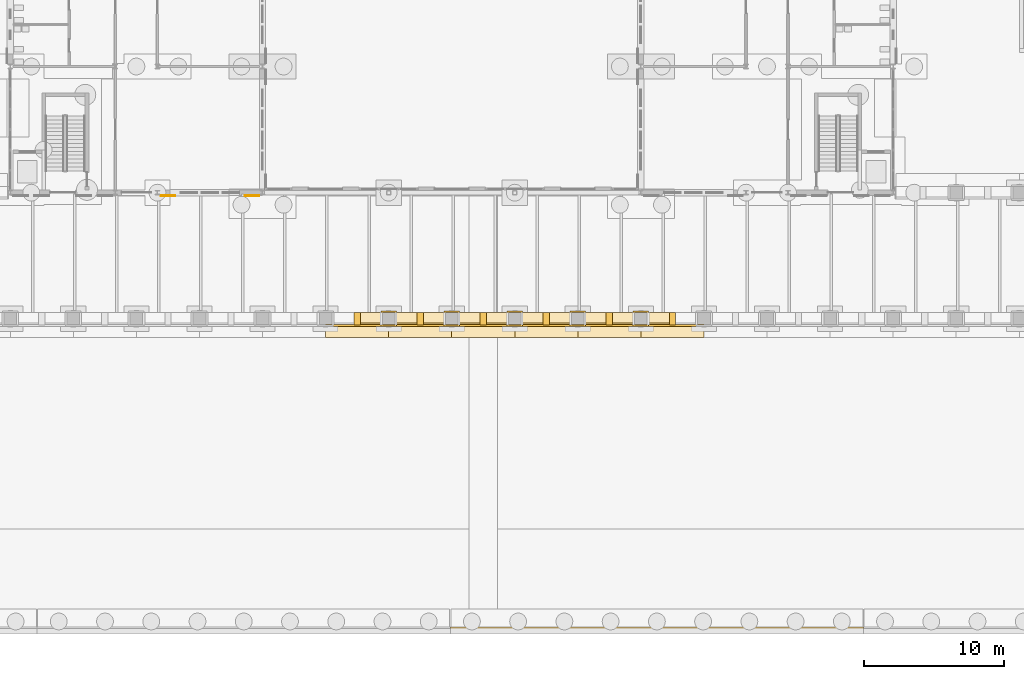
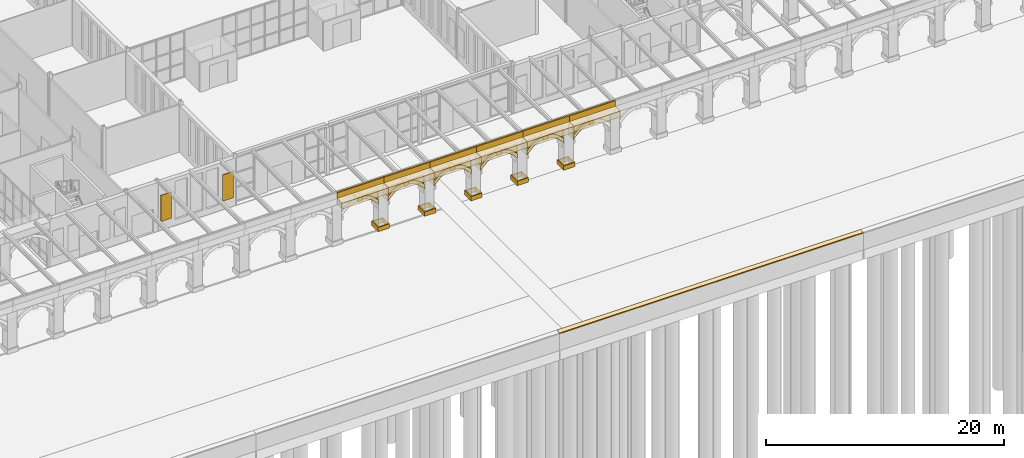
# One storey, part 132 of 168: 46 coverings.
"""IFC4 building model written with IfcOpenShell, lengths in metres."""

from ifc_helpers import new_model, si_unit, direction, frame, origin, origin_2d, place, context, subcontext, project, spatial, polyline, rectangle, outline, extrude, material, layer, layer_set, material_profile, profile_set, type_object, element, save


model = new_model("IFC4")

# Units and contexts
model_context = context("Model", 3, precision=1e-05, world=origin(), true_north=direction((0.0, 1.0)))
body_context = subcontext(model_context, "Body", "Model", "MODEL_VIEW")
ifc_project = project(units=[si_unit("LENGTHUNIT", "METRE"), si_unit("AREAUNIT", "SQUARE_METRE"), si_unit("VOLUMEUNIT", "CUBIC_METRE"), si_unit("PLANEANGLEUNIT", "RADIAN"), si_unit("MASSUNIT", "GRAM", prefix="KILO")], contexts=[model_context])

# Site, building, storey
site_placement = place(None, origin())
site = spatial("IfcSite", under=ifc_project, at=site_placement, CompositionType="ELEMENT")
building_placement = place(site_placement, origin())
building = spatial("IfcBuilding", under=site, at=building_placement, Name="Golden Quay Civic Hall", CompositionType="ELEMENT")
storey_placement = place(building_placement, origin())
storey = spatial("IfcBuildingStorey", under=building, at=storey_placement, Name="L00", CompositionType="ELEMENT", Elevation=0.0)

# Coverings
ifc_material_1 = material(Name="Brick, dark clay facing", Category="masonry")
ifc_layer_1 = layer(ifc_material_1, 0.75)
ifc_layer_set_1 = layer_set([ifc_layer_1], Name="Brick arch spandrel infill 750")
covering_type_1 = type_object("IfcCoveringType", Name="Brick arch spandrel infill 750", PredefinedType="CLADDING", material=ifc_layer_set_1)
covering_1_placement = place(storey_placement, frame((78.97509765625, -9.300048828125, 4.091064453125), z_axis=(0.0, -1.0, 0.0), x_axis=(0.97842552974, 0.0, -0.206599813053)))
element("IfcCovering", 1, at=covering_1_placement, inside=storey, type_object=covering_type_1, Name="Arch spandrel outer bay 14 right", PredefinedType="CLADDING", context=body_context, shape_type="SweptSolid", body=[
    extrude(outline(polyline([(0.0, 0.0), (0.06263051710363293, 1.734723475976807e-18), (0.31267483867747137, -0.0001008788149670925), (0.5881025541456739, -0.03651242089648961), (0.8673750848258303, -0.11003975339043703), (1.1505561937424948, -0.22216655622637274), (1.4375212099073598, -0.3746658221616902), (1.7294911476562997, -0.5697749671774053), (1.7300697733119603, -0.5701518352031314), (1.539106176579233, 0.3342229342292182), (-0.0018662580768914177, 0.008838316552825392), (0.0, 0.0)])), origin(), (0.0, 0.0, -1.0), 0.75),
])
covering_2_placement = place(storey_placement, frame((81.449951171875, -9.300048828125, 3.17578125), z_axis=(0.0, -1.0, 0.0), x_axis=(0.707106781187, 0.0, 0.707106781187)))
element("IfcCovering", 2, at=covering_2_placement, inside=storey, type_object=covering_type_1, Name="Arch spandrel outer bay 15 left", PredefinedType="CLADDING", context=body_context, shape_type="SweptSolid", body=[
    extrude(outline(polyline([(0.0, 0.0), (0.0006905339660024879, 0.0), (0.35182705567826755, 0.004143203796014933), (0.6755148522419337, -0.02468658928458889), (0.9739981590465092, -0.08528094480130727), (1.2481401435494968, -0.17608616133063437), (1.4988039732084, -0.29589380443206603), (1.7083810318901549, -0.4322742627175573), (1.760861613306344, -0.46645569403468046), (1.767249052491867, -0.4600682548491575), (0.6535903988213547, 0.6535903988213547), (0.0, 0.0)])), origin(), (0.0, 0.0, -1.0), 0.75),
])
covering_3_placement = place(storey_placement, frame((83.47509765625, -9.300048828125, 4.091064453125), z_axis=(0.0, -1.0, 0.0), x_axis=(0.97842552974, 0.0, -0.206599813053)))
element("IfcCovering", 3, at=covering_3_placement, inside=storey, type_object=covering_type_1, Name="Arch spandrel outer bay 15 right", PredefinedType="CLADDING", context=body_context, shape_type="SweptSolid", body=[
    extrude(outline(polyline([(0.0, 0.0), (0.06263051710363293, 1.734723475976807e-18), (0.31267483867747137, -0.0001008788149670925), (0.5881025541456739, -0.03651242089648961), (0.8673750848258303, -0.11003975339043703), (1.1505561937424948, -0.22216655622637274), (1.4375212099073598, -0.3746658221616902), (1.7294911476562997, -0.5697749671774053), (1.7300697733119603, -0.5701518352031314), (1.539106176579233, 0.3342229342292182), (-0.0018662580768914177, 0.008838316552825392), (0.0, 0.0)])), origin(), (0.0, 0.0, -1.0), 0.75),
])
covering_4_placement = place(storey_placement, frame((85.949951171875, -9.300048828125, 3.17578125), z_axis=(0.0, -1.0, 0.0), x_axis=(0.707106781187, 0.0, 0.707106781187)))
element("IfcCovering", 4, at=covering_4_placement, inside=storey, type_object=covering_type_1, Name="Arch spandrel outer bay 16 left", PredefinedType="CLADDING", context=body_context, shape_type="SweptSolid", body=[
    extrude(outline(polyline([(0.0, 0.0), (0.0006905339660024879, 0.0), (0.35182705567826755, 0.004143203796014933), (0.6755148522419337, -0.02468658928458889), (0.9739981590465092, -0.08528094480130727), (1.2481401435494968, -0.17608616133063437), (1.4988039732084, -0.29589380443206603), (1.7083810318901549, -0.4322742627175573), (1.760861613306344, -0.46645569403468046), (1.767249052491867, -0.4600682548491575), (0.6535903988213547, 0.6535903988213547), (0.0, 0.0)])), origin(), (0.0, 0.0, -1.0), 0.75),
])
covering_5_placement = place(storey_placement, frame((87.97509765625, -9.300048828125, 4.091064453125), z_axis=(0.0, -1.0, 0.0), x_axis=(0.97842552974, 0.0, -0.206599813053)))
element("IfcCovering", 5, at=covering_5_placement, inside=storey, type_object=covering_type_1, Name="Arch spandrel outer bay 16 right", PredefinedType="CLADDING", context=body_context, shape_type="SweptSolid", body=[
    extrude(outline(polyline([(0.0, 0.0), (0.06263051710363293, 1.734723475976807e-18), (0.31267483867747137, -0.0001008788149670925), (0.5881025541456739, -0.03651242089648961), (0.8673750848258303, -0.11003975339043703), (1.1505561937424948, -0.22216655622637274), (1.4375212099073598, -0.3746658221616902), (1.7294911476562997, -0.5697749671774053), (1.7300697733119603, -0.5701518352031314), (1.539106176579233, 0.3342229342292182), (-0.0018662580768914177, 0.008838316552825392), (0.0, 0.0)])), origin(), (0.0, 0.0, -1.0), 0.75),
])
covering_6_placement = place(storey_placement, frame((90.449951171875, -9.300048828125, 3.17578125), z_axis=(0.0, -1.0, 0.0), x_axis=(0.707106781187, 0.0, 0.707106781187)))
element("IfcCovering", 6, at=covering_6_placement, inside=storey, type_object=covering_type_1, Name="Arch spandrel outer bay 17 left", PredefinedType="CLADDING", context=body_context, shape_type="SweptSolid", body=[
    extrude(outline(polyline([(0.0, 0.0), (0.0006905339660024879, 0.0), (0.35182705567826755, 0.004143203796014933), (0.6755148522419337, -0.02468658928458889), (0.9739981590465092, -0.08528094480130727), (1.2481401435494968, -0.17608616133063437), (1.4988039732084, -0.29589380443206603), (1.7083810318901549, -0.4322742627175573), (1.760861613306344, -0.46645569403468046), (1.767249052491867, -0.4600682548491575), (0.6535903988213547, 0.6535903988213547), (0.0, 0.0)])), origin(), (0.0, 0.0, -1.0), 0.75),
])
covering_7_placement = place(storey_placement, frame((92.47509765625, -9.300048828125, 4.091064453125), z_axis=(0.0, -1.0, 0.0), x_axis=(0.97842552974, 0.0, -0.206599813053)))
element("IfcCovering", 7, at=covering_7_placement, inside=storey, type_object=covering_type_1, Name="Arch spandrel outer bay 17 right", PredefinedType="CLADDING", context=body_context, shape_type="SweptSolid", body=[
    extrude(outline(polyline([(0.0, 0.0), (0.06263051710363293, 1.734723475976807e-18), (0.31267483867747137, -0.0001008788149670925), (0.5881025541456739, -0.03651242089648961), (0.8673750848258303, -0.11003975339043703), (1.1505561937424948, -0.22216655622637274), (1.4375212099073598, -0.3746658221616902), (1.7294911476562997, -0.5697749671774053), (1.7300697733119603, -0.5701518352031314), (1.539106176579233, 0.3342229342292182), (-0.0018662580768914177, 0.008838316552825392), (0.0, 0.0)])), origin(), (0.0, 0.0, -1.0), 0.75),
])
covering_8_placement = place(storey_placement, frame((94.949951171875, -9.300048828125, 3.17578125), z_axis=(0.0, -1.0, 0.0), x_axis=(0.707106781187, 0.0, 0.707106781187)))
element("IfcCovering", 8, at=covering_8_placement, inside=storey, type_object=covering_type_1, Name="Arch spandrel outer bay 18 left", PredefinedType="CLADDING", context=body_context, shape_type="SweptSolid", body=[
    extrude(outline(polyline([(0.0, 0.0), (0.0006905339660024879, 0.0), (0.35182705567826755, 0.004143203796014933), (0.6755148522419337, -0.02468658928458889), (0.9739981590465092, -0.08528094480130727), (1.2481401435494968, -0.17608616133063437), (1.4988039732084, -0.29589380443206603), (1.7083810318901549, -0.4322742627175573), (1.760861613306344, -0.46645569403468046), (1.767249052491867, -0.4600682548491575), (0.6535903988213547, 0.6535903988213547), (0.0, 0.0)])), origin(), (0.0, 0.0, -1.0), 0.75),
])
covering_9_placement = place(storey_placement, frame((96.97509765625, -9.300048828125, 4.091064453125), z_axis=(0.0, -1.0, 0.0), x_axis=(0.97842552974, 0.0, -0.206599813053)))
element("IfcCovering", 9, at=covering_9_placement, inside=storey, type_object=covering_type_1, Name="Arch spandrel outer bay 18 right", PredefinedType="CLADDING", context=body_context, shape_type="SweptSolid", body=[
    extrude(outline(polyline([(0.0, 0.0), (0.06263051710363293, 1.734723475976807e-18), (0.31267483867747137, -0.0001008788149670925), (0.5881025541456739, -0.03651242089648961), (0.8673750848258303, -0.11003975339043703), (1.1505561937424948, -0.22216655622637274), (1.4375212099073598, -0.3746658221616902), (1.7294911476562997, -0.5697749671774053), (1.7300697733119603, -0.5701518352031314), (1.539106176579233, 0.3342229342292182), (-0.0018662580768914177, 0.008838316552825392), (0.0, 0.0)])), origin(), (0.0, 0.0, -1.0), 0.75),
])
covering_10_placement = place(storey_placement, frame((99.449951171875, -9.300048828125, 3.17578125), z_axis=(0.0, -1.0, 0.0), x_axis=(0.707106781187, 0.0, 0.707106781187)))
element("IfcCovering", 10, at=covering_10_placement, inside=storey, type_object=covering_type_1, Name="Arch spandrel outer bay 19 left", PredefinedType="CLADDING", context=body_context, shape_type="SweptSolid", body=[
    extrude(outline(polyline([(0.0, 0.0), (0.0006905339660024879, 0.0), (0.35182705567826755, 0.004143203796014933), (0.6755148522419337, -0.02468658928458889), (0.9739981590465092, -0.08528094480130727), (1.2481401435494968, -0.17608616133063437), (1.4988039732084, -0.29589380443206603), (1.7083810318901549, -0.4322742627175573), (1.760861613306344, -0.46645569403468046), (1.767249052491867, -0.4600682548491575), (0.6535903988213547, 0.6535903988213547), (0.0, 0.0)])), origin(), (0.0, 0.0, -1.0), 0.75),
])
ifc_material_2 = material(Name="Granite", Category="masonry")
ifc_layer_2 = layer(ifc_material_2, 0.10009765625)
ifc_layer_set_2 = layer_set([ifc_layer_2], Name="Granite wall coping 500 x 100")
covering_type_2 = type_object("IfcCoveringType", Name="Granite wall coping 500 x 100", PredefinedType="CLADDING", material=ifc_layer_set_2)
covering_11_placement = place(storey_placement, frame((0.0, 0.0, 1.10009765625)))
element("IfcCovering", 11, at=covering_11_placement, inside=storey, type_object=covering_type_2, Name="Quay wall coping run 4", PredefinedType="CLADDING", context=body_context, shape_type="SweptSolid", body=[
    extrude(outline(polyline([(85.39990234375, -31.5), (114.8798828125, -31.5), (114.8798828125, -31.0), (85.39990234375, -31.0), (85.39990234375, -31.5)])), origin(), (0.0, 0.0, 1.0), 0.099853515625),
])
ifc_material_3 = material(Name="Stone, buff limestone", Category="masonry")
ifc_layer_3 = layer(ifc_material_3, 0.89990234375)
ifc_layer_set_3 = layer_set([ifc_layer_3], Name="Stone arch keystone 450 x 420")
covering_type_3 = type_object("IfcCoveringType", Name="Stone arch keystone 450 x 420", PredefinedType="CLADDING", material=ifc_layer_set_3)
for number, where, z_axis, x_axis, name in (
    (12, (78.52490234375, -9.449951171875, 3.679931640625), (0.0, -1.0, 0.0), (1.0, 0.0, 0.0), "Arch keystone outer bay 14 crown"),
    (13, (83.02490234375, -9.449951171875, 3.679931640625), (0.0, -1.0, 0.0), (1.0, 0.0, 0.0), "Arch keystone outer bay 15 crown"),
    (14, (87.52490234375, -9.449951171875, 3.679931640625), (0.0, -1.0, 0.0), (1.0, 0.0, 0.0), "Arch keystone outer bay 16 crown"),
    (15, (92.02490234375, -9.449951171875, 3.679931640625), (0.0, -1.0, 0.0), (1.0, 0.0, 0.0), "Arch keystone outer bay 17 crown"),
    (16, (96.52490234375, -9.449951171875, 3.679931640625), (0.0, -1.0, 0.0), (1.0, 0.0, 0.0), "Arch keystone outer bay 18 crown"),
    (17, (101.02490234375, -9.449951171875, 3.679931640625), (0.0, -1.0, 0.0), (1.0, 0.0, 0.0), "Arch keystone outer bay 19 crown"),
):
    element("IfcCovering", number, at=place(storey_placement, frame(where, z_axis=z_axis, x_axis=x_axis)), inside=storey, type_object=covering_type_3, Name=name, PredefinedType="CLADDING", context=body_context, shape_type="SweptSolid", body=[
        extrude(outline(polyline([(0.0, 0.0), (0.4501953125, 0.0), (0.4501953125, 0.420166015625), (0.0, 0.420166015625), (0.0, 0.0)])), origin(), (0.0, 0.0, -1.0), 0.89990234375),
    ])
ifc_material_4 = material(Name="Stone, buff limestone", Category="masonry")
ifc_layer_4 = layer(ifc_material_4, 0.89990234375)
ifc_layer_set_4 = layer_set([ifc_layer_4], Name="Stone arch ring 900 x 300")
covering_type_4 = type_object("IfcCoveringType", Name="Stone arch ring 900 x 300", PredefinedType="CLADDING", material=ifc_layer_set_4)
covering_12_placement = place(storey_placement, frame((78.97509765625, -9.449951171875, 3.784423828125), z_axis=(0.0, -1.0, 0.0), x_axis=(0.978953882547, 0.0, -0.20408159115)))
element("IfcCovering", 18, at=covering_12_placement, inside=storey, type_object=covering_type_4, Name="Arch ring outer bay 14 right", PredefinedType="CLADDING", context=body_context, shape_type="SweptSolid", body=[
    extrude(outline(polyline([(0.0, 0.0), (0.22968754671057404, 0.0), (0.4662407685933837, -0.031737496286033756), (0.7094806084662527, -0.09674615254891705), (0.9602836680123576, -0.19683833887607075), (1.2190088401055397, -0.33493190882748347), (1.486164491441282, -0.5146617232013373), (1.7631254697749046, -0.7402301762123651), (1.666017310314196, -0.27441447379927847), (1.665439656274305, -0.27403611818824464), (1.3739727106559259, -0.07817636573824266), (1.0874010326963535, 0.07506077076837225), (0.8045093690852512, 0.18791584163726896), (0.5254269523975812, 0.26216151297199447), (0.25009383740278873, 0.29928162385615015), (5.060311670204709e-05, 0.3000258789264141), (-0.06257970666118522, 0.30018703039037287), (0.0, 0.0)])), origin(), (0.0, 0.0, -1.0), 0.89990234375),
])
covering_13_placement = place(storey_placement, frame((81.449951171875, -9.449951171875, 2.699951171875), z_axis=(0.0, -1.0, 0.0), x_axis=(0.630180832165, 0.0, 0.776448400585)))
element("IfcCovering", 19, at=covering_13_placement, inside=storey, type_object=covering_type_4, Name="Arch ring outer bay 15 left", PredefinedType="CLADDING", context=body_context, shape_type="SweptSolid", body=[
    extrude(outline(polyline([(0.0, 0.0), (0.3571953394339093, 0.0), (0.6778408073481526, -0.02935016390994566), (0.9656562359875701, -0.08566026756533418), (1.2233312115769217, -0.1664329572349489), (1.452986632547569, -0.2696324374142566), (1.6564467051663616, -0.39440701136103273), (1.8345410995356382, -0.5394544374263122), (2.0726317223713804, -0.3462153931881483), (2.023967866388838, -0.30678937647863513), (1.8296201479431229, -0.14946443483618055), (1.5926919309667726, -0.004373956702034887), (1.3294118430005957, 0.11429790304869314), (1.038796361200025, 0.20543846536483718), (0.7198262528649223, 0.2675916358552039), (0.37014433379061235, 0.2997875748909126), (0.36945750311055836, 0.2998589946020553), (0.0, 0.0)])), origin(), (0.0, 0.0, -1.0), 0.89990234375),
])
covering_14_placement = place(storey_placement, frame((83.47509765625, -9.449951171875, 3.784423828125), z_axis=(0.0, -1.0, 0.0), x_axis=(0.978953882547, 0.0, -0.20408159115)))
element("IfcCovering", 20, at=covering_14_placement, inside=storey, type_object=covering_type_4, Name="Arch ring outer bay 15 right", PredefinedType="CLADDING", context=body_context, shape_type="SweptSolid", body=[
    extrude(outline(polyline([(0.0, 0.0), (0.22968754671057404, 0.0), (0.4662407685933837, -0.031737496286033756), (0.7094806084662527, -0.09674615254891705), (0.9602836680123576, -0.19683833887607075), (1.2190088401055397, -0.33493190882748347), (1.486164491441282, -0.5146617232013373), (1.7631254697749046, -0.7402301762123651), (1.666017310314196, -0.27441447379927847), (1.665439656274305, -0.27403611818824464), (1.3739727106559259, -0.07817636573824266), (1.0874010326963535, 0.07506077076837225), (0.8045093690852512, 0.18791584163726896), (0.5254269523975812, 0.26216151297199447), (0.25009383740278873, 0.29928162385615015), (5.060311670204709e-05, 0.3000258789264141), (-0.06257970666118522, 0.30018703039037287), (0.0, 0.0)])), origin(), (0.0, 0.0, -1.0), 0.89990234375),
])
covering_15_placement = place(storey_placement, frame((85.949951171875, -9.449951171875, 2.699951171875), z_axis=(0.0, -1.0, 0.0), x_axis=(0.630180832165, 0.0, 0.776448400585)))
element("IfcCovering", 21, at=covering_15_placement, inside=storey, type_object=covering_type_4, Name="Arch ring outer bay 16 left", PredefinedType="CLADDING", context=body_context, shape_type="SweptSolid", body=[
    extrude(outline(polyline([(0.0, 0.0), (0.3571953394339093, 0.0), (0.6778408073481526, -0.02935016390994566), (0.9656562359875701, -0.08566026756533418), (1.2233312115769217, -0.1664329572349489), (1.452986632547569, -0.2696324374142566), (1.6564467051663616, -0.39440701136103273), (1.8345410995356382, -0.5394544374263122), (2.0726317223713804, -0.3462153931881483), (2.023967866388838, -0.30678937647863513), (1.8296201479431229, -0.14946443483618055), (1.5926919309667726, -0.004373956702034887), (1.3294118430005957, 0.11429790304869314), (1.038796361200025, 0.20543846536483718), (0.7198262528649223, 0.2675916358552039), (0.37014433379061235, 0.2997875748909126), (0.36945750311055836, 0.2998589946020553), (0.0, 0.0)])), origin(), (0.0, 0.0, -1.0), 0.89990234375),
])
covering_16_placement = place(storey_placement, frame((87.97509765625, -9.449951171875, 3.784423828125), z_axis=(0.0, -1.0, 0.0), x_axis=(0.978953882547, 0.0, -0.20408159115)))
element("IfcCovering", 22, at=covering_16_placement, inside=storey, type_object=covering_type_4, Name="Arch ring outer bay 16 right", PredefinedType="CLADDING", context=body_context, shape_type="SweptSolid", body=[
    extrude(outline(polyline([(0.0, 0.0), (0.22968754671057404, 0.0), (0.4662407685933837, -0.031737496286033756), (0.7094806084662527, -0.09674615254891705), (0.9602836680123576, -0.19683833887607075), (1.2190088401055397, -0.33493190882748347), (1.486164491441282, -0.5146617232013373), (1.7631254697749046, -0.7402301762123651), (1.666017310314196, -0.27441447379927847), (1.665439656274305, -0.27403611818824464), (1.3739727106559259, -0.07817636573824266), (1.0874010326963535, 0.07506077076837225), (0.8045093690852512, 0.18791584163726896), (0.5254269523975812, 0.26216151297199447), (0.25009383740278873, 0.29928162385615015), (5.060311670204709e-05, 0.3000258789264141), (-0.06257970666118522, 0.30018703039037287), (0.0, 0.0)])), origin(), (0.0, 0.0, -1.0), 0.89990234375),
])
covering_17_placement = place(storey_placement, frame((90.449951171875, -9.449951171875, 2.699951171875), z_axis=(0.0, -1.0, 0.0), x_axis=(0.630180832165, 0.0, 0.776448400585)))
element("IfcCovering", 23, at=covering_17_placement, inside=storey, type_object=covering_type_4, Name="Arch ring outer bay 17 left", PredefinedType="CLADDING", context=body_context, shape_type="SweptSolid", body=[
    extrude(outline(polyline([(0.0, 0.0), (0.3571953394339093, 0.0), (0.6778408073481526, -0.02935016390994566), (0.9656562359875701, -0.08566026756533418), (1.2233312115769217, -0.1664329572349489), (1.452986632547569, -0.2696324374142566), (1.6564467051663616, -0.39440701136103273), (1.8345410995356382, -0.5394544374263122), (2.0726317223713804, -0.3462153931881483), (2.023967866388838, -0.30678937647863513), (1.8296201479431229, -0.14946443483618055), (1.5926919309667726, -0.004373956702034887), (1.3294118430005957, 0.11429790304869314), (1.038796361200025, 0.20543846536483718), (0.7198262528649223, 0.2675916358552039), (0.37014433379061235, 0.2997875748909126), (0.36945750311055836, 0.2998589946020553), (0.0, 0.0)])), origin(), (0.0, 0.0, -1.0), 0.89990234375),
])
covering_18_placement = place(storey_placement, frame((92.47509765625, -9.449951171875, 3.784423828125), z_axis=(0.0, -1.0, 0.0), x_axis=(0.978953882547, 0.0, -0.20408159115)))
element("IfcCovering", 24, at=covering_18_placement, inside=storey, type_object=covering_type_4, Name="Arch ring outer bay 17 right", PredefinedType="CLADDING", context=body_context, shape_type="SweptSolid", body=[
    extrude(outline(polyline([(0.0, 0.0), (0.22968754671057404, 0.0), (0.4662407685933837, -0.031737496286033756), (0.7094806084662527, -0.09674615254891705), (0.9602836680123576, -0.19683833887607075), (1.2190088401055397, -0.33493190882748347), (1.486164491441282, -0.5146617232013373), (1.7631254697749046, -0.7402301762123651), (1.666017310314196, -0.27441447379927847), (1.665439656274305, -0.27403611818824464), (1.3739727106559259, -0.07817636573824266), (1.0874010326963535, 0.07506077076837225), (0.8045093690852512, 0.18791584163726896), (0.5254269523975812, 0.26216151297199447), (0.25009383740278873, 0.29928162385615015), (5.060311670204709e-05, 0.3000258789264141), (-0.06257970666118522, 0.30018703039037287), (0.0, 0.0)])), origin(), (0.0, 0.0, -1.0), 0.89990234375),
])
covering_19_placement = place(storey_placement, frame((94.949951171875, -9.449951171875, 2.699951171875), z_axis=(0.0, -1.0, 0.0), x_axis=(0.630180832165, 0.0, 0.776448400585)))
element("IfcCovering", 25, at=covering_19_placement, inside=storey, type_object=covering_type_4, Name="Arch ring outer bay 18 left", PredefinedType="CLADDING", context=body_context, shape_type="SweptSolid", body=[
    extrude(outline(polyline([(0.0, 0.0), (0.3571953394339093, 0.0), (0.6778408073481526, -0.02935016390994566), (0.9656562359875701, -0.08566026756533418), (1.2233312115769217, -0.1664329572349489), (1.452986632547569, -0.2696324374142566), (1.6564467051663616, -0.39440701136103273), (1.8345410995356382, -0.5394544374263122), (2.0726317223713804, -0.3462153931881483), (2.023967866388838, -0.30678937647863513), (1.8296201479431229, -0.14946443483618055), (1.5926919309667726, -0.004373956702034887), (1.3294118430005957, 0.11429790304869314), (1.038796361200025, 0.20543846536483718), (0.7198262528649223, 0.2675916358552039), (0.37014433379061235, 0.2997875748909126), (0.36945750311055836, 0.2998589946020553), (0.0, 0.0)])), origin(), (0.0, 0.0, -1.0), 0.89990234375),
])
covering_20_placement = place(storey_placement, frame((96.97509765625, -9.449951171875, 3.784423828125), z_axis=(0.0, -1.0, 0.0), x_axis=(0.978953882547, 0.0, -0.20408159115)))
element("IfcCovering", 26, at=covering_20_placement, inside=storey, type_object=covering_type_4, Name="Arch ring outer bay 18 right", PredefinedType="CLADDING", context=body_context, shape_type="SweptSolid", body=[
    extrude(outline(polyline([(0.0, 0.0), (0.22968754671057404, 0.0), (0.4662407685933837, -0.031737496286033756), (0.7094806084662527, -0.09674615254891705), (0.9602836680123576, -0.19683833887607075), (1.2190088401055397, -0.33493190882748347), (1.486164491441282, -0.5146617232013373), (1.7631254697749046, -0.7402301762123651), (1.666017310314196, -0.27441447379927847), (1.665439656274305, -0.27403611818824464), (1.3739727106559259, -0.07817636573824266), (1.0874010326963535, 0.07506077076837225), (0.8045093690852512, 0.18791584163726896), (0.5254269523975812, 0.26216151297199447), (0.25009383740278873, 0.29928162385615015), (5.060311670204709e-05, 0.3000258789264141), (-0.06257970666118522, 0.30018703039037287), (0.0, 0.0)])), origin(), (0.0, 0.0, -1.0), 0.89990234375),
])
covering_21_placement = place(storey_placement, frame((99.449951171875, -9.449951171875, 2.699951171875), z_axis=(0.0, -1.0, 0.0), x_axis=(0.630180832165, 0.0, 0.776448400585)))
element("IfcCovering", 27, at=covering_21_placement, inside=storey, type_object=covering_type_4, Name="Arch ring outer bay 19 left", PredefinedType="CLADDING", context=body_context, shape_type="SweptSolid", body=[
    extrude(outline(polyline([(0.0, 0.0), (0.3571953394339093, 0.0), (0.6778408073481526, -0.02935016390994566), (0.9656562359875701, -0.08566026756533418), (1.2233312115769217, -0.1664329572349489), (1.452986632547569, -0.2696324374142566), (1.6564467051663616, -0.39440701136103273), (1.8345410995356382, -0.5394544374263122), (2.0726317223713804, -0.3462153931881483), (2.023967866388838, -0.30678937647863513), (1.8296201479431229, -0.14946443483618055), (1.5926919309667726, -0.004373956702034887), (1.3294118430005957, 0.11429790304869314), (1.038796361200025, 0.20543846536483718), (0.7198262528649223, 0.2675916358552039), (0.37014433379061235, 0.2997875748909126), (0.36945750311055836, 0.2998589946020553), (0.0, 0.0)])), origin(), (0.0, 0.0, -1.0), 0.89990234375),
])
ifc_material_5 = material(Name="Stone, buff limestone", Category="masonry")
ifc_material_profile_1 = material_profile(ifc_material_5, rectangle(XDim=0.89990234375, YDim=0.60009765625, at=origin_2d()), Name="RC 900x600")
ifc_profile_set_1 = profile_set([ifc_material_profile_1], Name="Stone, buff limestone")
covering_type_5 = type_object("IfcCoveringType", Name="Stone cornice 900 x 600", PredefinedType="MOLDING", material=ifc_profile_set_1)
for number, where, z_axis, x_axis, name in (
    (28, (76.5, -9.89990234375, 4.5), (1.0, 0.0, 0.0), (0.0, 1.0, 0.0), "Stone cornice outer bay 14"),
    (29, (81.0, -9.89990234375, 4.5), (1.0, 0.0, 0.0), (0.0, 1.0, 0.0), "Stone cornice outer bay 15"),
    (30, (85.5, -9.89990234375, 4.5), (1.0, 0.0, 0.0), (0.0, 1.0, 0.0), "Stone cornice outer bay 16"),
    (31, (90.0, -9.89990234375, 4.5), (1.0, 0.0, 0.0), (0.0, 1.0, 0.0), "Stone cornice outer bay 17"),
    (32, (94.5, -9.89990234375, 4.5), (1.0, 0.0, 0.0), (0.0, 1.0, 0.0), "Stone cornice outer bay 18"),
    (33, (99.0, -9.89990234375, 4.5), (1.0, 0.0, 0.0), (0.0, 1.0, 0.0), "Stone cornice outer bay 19"),
):
    element("IfcCovering", number, at=place(storey_placement, frame(where, z_axis=z_axis, x_axis=x_axis)), inside=storey, type_object=covering_type_5, Name=name, PredefinedType="MOLDING", context=body_context, shape_type="SweptSolid", body=[
        extrude(rectangle(XDim=0.89990234375, YDim=0.60009765625, at=origin_2d()), origin(), (0.0, 0.0, 1.0), 4.5),
    ])
ifc_material_6 = material(Name="Stone, buff limestone", Category="masonry")
ifc_layer_5 = layer(ifc_material_6, 0.449951171875)
ifc_layer_set_5 = layer_set([ifc_layer_5], Name="Stone pier plinth 450")
covering_type_6 = type_object("IfcCoveringType", Name="Stone pier plinth 450", PredefinedType="CLADDING", material=ifc_layer_set_5)
covering_22_placement = place(storey_placement, origin())
element("IfcCovering", 34, at=covering_22_placement, inside=storey, type_object=covering_type_6, Name="Pier plinth outer 81", PredefinedType="CLADDING", context=body_context, shape_type="SweptSolid", body=[
    extrude(outline(polyline([(80.449951171875, -9.550048828125), (81.550048828125, -9.550048828125), (81.550048828125, -8.449951171875), (80.449951171875, -8.449951171875), (80.449951171875, -9.550048828125)]), holes=[polyline([(80.550048828125, -9.449951171875), (81.449951171875, -9.449951171875), (81.449951171875, -8.550048828125), (80.550048828125, -8.550048828125), (80.550048828125, -9.449951171875)])]), origin(), (0.0, 0.0, 1.0), 0.449951171875),
])
covering_23_placement = place(storey_placement, origin())
element("IfcCovering", 35, at=covering_23_placement, inside=storey, type_object=covering_type_6, Name="Pier plinth outer 85.5", PredefinedType="CLADDING", context=body_context, shape_type="SweptSolid", body=[
    extrude(outline(polyline([(84.949951171875, -9.550048828125), (86.050048828125, -9.550048828125), (86.050048828125, -8.449951171875), (84.949951171875, -8.449951171875), (84.949951171875, -9.550048828125)]), holes=[polyline([(85.050048828125, -9.449951171875), (85.949951171875, -9.449951171875), (85.949951171875, -8.550048828125), (85.050048828125, -8.550048828125), (85.050048828125, -9.449951171875)])]), origin(), (0.0, 0.0, 1.0), 0.449951171875),
])
covering_24_placement = place(storey_placement, origin())
element("IfcCovering", 36, at=covering_24_placement, inside=storey, type_object=covering_type_6, Name="Pier plinth outer 90", PredefinedType="CLADDING", context=body_context, shape_type="SweptSolid", body=[
    extrude(outline(polyline([(89.449951171875, -9.550048828125), (90.550048828125, -9.550048828125), (90.550048828125, -8.449951171875), (89.449951171875, -8.449951171875), (89.449951171875, -9.550048828125)]), holes=[polyline([(89.550048828125, -9.449951171875), (90.449951171875, -9.449951171875), (90.449951171875, -8.550048828125), (89.550048828125, -8.550048828125), (89.550048828125, -9.449951171875)])]), origin(), (0.0, 0.0, 1.0), 0.449951171875),
])
covering_25_placement = place(storey_placement, origin())
element("IfcCovering", 37, at=covering_25_placement, inside=storey, type_object=covering_type_6, Name="Pier plinth outer 94.5", PredefinedType="CLADDING", context=body_context, shape_type="SweptSolid", body=[
    extrude(outline(polyline([(93.949951171875, -9.550048828125), (95.050048828125, -9.550048828125), (95.050048828125, -8.449951171875), (93.949951171875, -8.449951171875), (93.949951171875, -9.550048828125)]), holes=[polyline([(94.050048828125, -9.449951171875), (94.949951171875, -9.449951171875), (94.949951171875, -8.550048828125), (94.050048828125, -8.550048828125), (94.050048828125, -9.449951171875)])]), origin(), (0.0, 0.0, 1.0), 0.449951171875),
])
covering_26_placement = place(storey_placement, origin())
element("IfcCovering", 38, at=covering_26_placement, inside=storey, type_object=covering_type_6, Name="Pier plinth outer 99", PredefinedType="CLADDING", context=body_context, shape_type="SweptSolid", body=[
    extrude(outline(polyline([(98.449951171875, -9.550048828125), (99.550048828125, -9.550048828125), (99.550048828125, -8.449951171875), (98.449951171875, -8.449951171875), (98.449951171875, -9.550048828125)]), holes=[polyline([(98.550048828125, -9.449951171875), (99.449951171875, -9.449951171875), (99.449951171875, -8.550048828125), (98.550048828125, -8.550048828125), (98.550048828125, -9.449951171875)])]), origin(), (0.0, 0.0, 1.0), 0.449951171875),
])
ifc_material_7 = material(Name="Stone, buff limestone", Category="masonry")
ifc_material_profile_2 = material_profile(ifc_material_7, rectangle(XDim=0.14990234375, YDim=0.60009765625, at=origin_2d()), Name="RC 150x600")
ifc_profile_set_2 = profile_set([ifc_material_profile_2], Name="Stone, buff limestone")
covering_type_7 = type_object("IfcCoveringType", Name="Stone terrace fascia 150 x 600", PredefinedType="CLADDING", material=ifc_profile_set_2)
for number, where, z_axis, x_axis, name in (
    (39, (76.5, -9.47509765625, 5.10009765625), (1.0, 0.0, 0.0), (0.0, 1.0, 0.0), "Terrace fascia bay 14"),
    (40, (81.0, -9.47509765625, 5.10009765625), (1.0, 0.0, 0.0), (0.0, 1.0, 0.0), "Terrace fascia bay 15"),
    (41, (85.5, -9.47509765625, 5.10009765625), (1.0, 0.0, 0.0), (0.0, 1.0, 0.0), "Terrace fascia bay 16"),
    (42, (90.0, -9.47509765625, 5.10009765625), (1.0, 0.0, 0.0), (0.0, 1.0, 0.0), "Terrace fascia bay 17"),
    (43, (94.5, -9.47509765625, 5.10009765625), (1.0, 0.0, 0.0), (0.0, 1.0, 0.0), "Terrace fascia bay 18"),
    (44, (99.0, -9.47509765625, 5.10009765625), (1.0, 0.0, 0.0), (0.0, 1.0, 0.0), "Terrace fascia bay 19"),
):
    element("IfcCovering", number, at=place(storey_placement, frame(where, z_axis=z_axis, x_axis=x_axis)), inside=storey, type_object=covering_type_7, Name=name, PredefinedType="CLADDING", context=body_context, shape_type="SweptSolid", body=[
        extrude(rectangle(XDim=0.14990234375, YDim=0.60009765625, at=origin_2d()), origin(), (0.0, 0.0, 1.0), 4.5),
    ])
ifc_material_8 = material(Name="Terracotta cladding, golden glaze", Category="masonry")
ifc_layer_6 = layer(ifc_material_8, 0.050048828125)
ifc_layer_set_6 = layer_set([ifc_layer_6], Name="Terracotta solid panel 1050 x 2700 x 50")
covering_type_8 = type_object("IfcCoveringType", Name="Terracotta solid panel 1050 x 2700 x 50", PredefinedType="CLADDING", material=ifc_layer_set_6)
covering_27_placement = place(storey_placement, frame((0.0, 0.0, 0.89990234375)))
element("IfcCovering", 45, at=covering_27_placement, inside=storey, type_object=covering_type_8, Name="Terracotta solid panel 1050 x 2700 x 50 L00 46", PredefinedType="CLADDING", context=body_context, shape_type="SweptSolid", body=[
    extrude(outline(polyline([(64.72509765625, -0.199951171875), (65.77490234375, -0.199951171875), (65.77490234375, -0.25), (64.72509765625, -0.25), (64.72509765625, -0.199951171875)])), origin(), (0.0, 0.0, 1.0), 2.7001953125),
])
covering_28_placement = place(storey_placement, frame((0.0, 0.0, 0.89990234375)))
element("IfcCovering", 46, at=covering_28_placement, inside=storey, type_object=covering_type_8, Name="Terracotta solid panel 1050 x 2700 x 50 L00 47", PredefinedType="CLADDING", context=body_context, shape_type="SweptSolid", body=[
    extrude(outline(polyline([(70.72509765625, -0.199951171875), (71.77490234375, -0.199951171875), (71.77490234375, -0.25), (70.72509765625, -0.25), (70.72509765625, -0.199951171875)])), origin(), (0.0, 0.0, 1.0), 2.7001953125),
])

save(model, "model.ifc")
